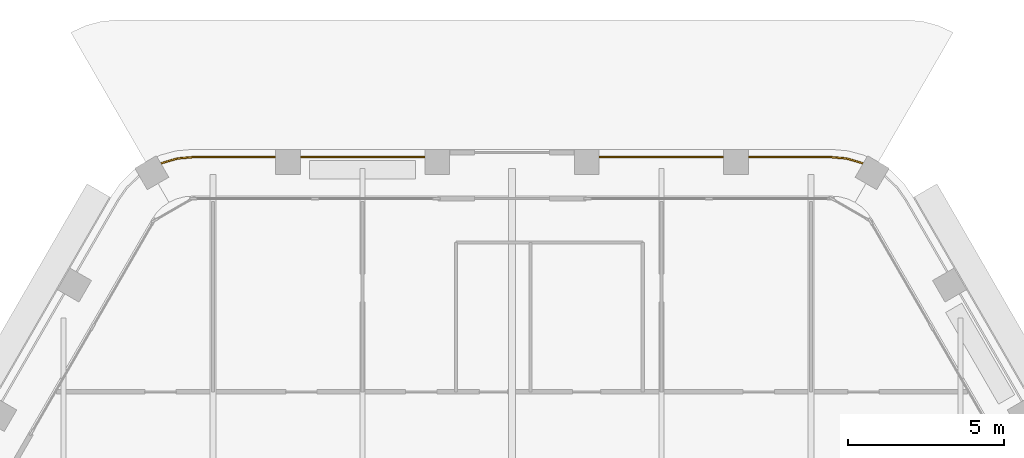
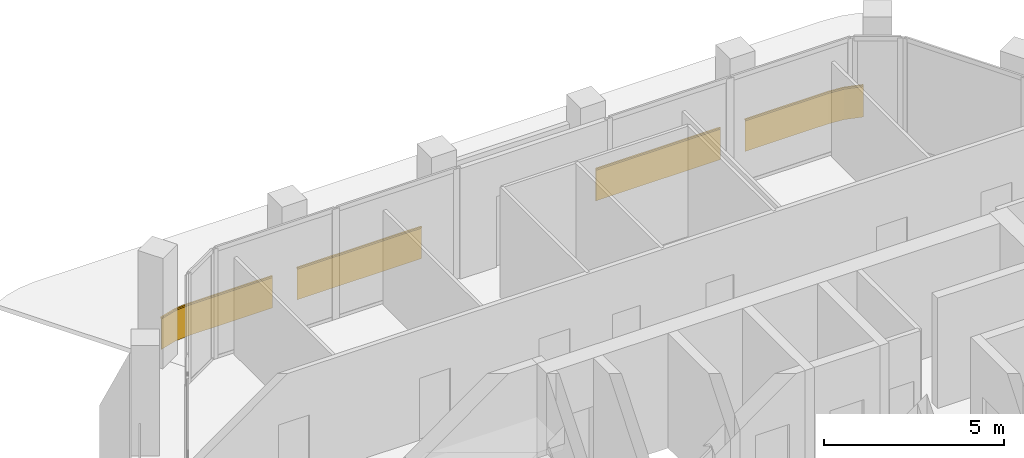
# One storey, part 14 of 14: 1 railing.
"""IFC4 building model written with IfcOpenShell, lengths in metres."""

from ifc_helpers import new_model, si_unit, direction, frame, frame_2d, origin, origin_2d, place, context, subcontext, project, spatial, rectangle, extrude, material, type_object, element, save


model = new_model("IFC4")

# Units and contexts
model_context = context("Model", 3, precision=1e-05, world=origin(), true_north=direction((0.0, 1.0)))
body_context = subcontext(model_context, "Body", "Model", "MODEL_VIEW")
ifc_project = project(units=[si_unit("LENGTHUNIT", "METRE"), si_unit("AREAUNIT", "SQUARE_METRE"), si_unit("VOLUMEUNIT", "CUBIC_METRE"), si_unit("PLANEANGLEUNIT", "RADIAN"), si_unit("MASSUNIT", "GRAM", prefix="KILO")], contexts=[model_context])

# Site, building, storey
site_placement = place(None, origin())
site = spatial("IfcSite", under=ifc_project, at=site_placement, CompositionType="ELEMENT")
building_placement = place(site_placement, origin())
building = spatial("IfcBuilding", under=site, at=building_placement, Name="Kolab Exchange Tower", CompositionType="ELEMENT")
storey_placement = place(building_placement, frame((0.0, 0.0, 222.800048828125)))
storey = spatial("IfcBuildingStorey", under=building, at=storey_placement, Name="L48", CompositionType="ELEMENT", Elevation=222.800048828125)

# Railing
ifc_material = material(Name="Steel S235", Category="steel")
railing_type = type_object("IfcRailingType", Name="GUARD 1100 GLASS BALUSTRADE AND STEEL TOP RAIL", PredefinedType="GUARDRAIL", material=ifc_material)
railing_placement = place(storey_placement, frame((11.280517578125, 20.335205078125, 0.0)))
element("IfcRailing", 1, at=railing_placement, inside=storey, type_object=railing_type, Name="Guard", PredefinedType="GUARDRAIL", context=body_context, shape_type="SweptSolid", body=[
    extrude(rectangle(XDim=0.05, YDim=0.05, at=origin_2d()), frame((0.0, 0.0, 1.0751953125), z_axis=(-0.959212061764, 0.282687496304, 0.0), x_axis=(-0.282687496304, -0.959212061764, 0.0)), (0.0, 0.0, 1.0), 0.557861328125),
    extrude(rectangle(XDim=0.012, YDim=1.05009765625, at=frame_2d((0.0, 0.525146484375))), frame((0.0, 0.0, 0.0), z_axis=(-0.959212061764, 0.282687496304, 0.0), x_axis=(-0.282687496304, -0.959212061764, 0.0)), (0.0, 0.0, 1.0), 0.557861328125),
    extrude(rectangle(XDim=0.05, YDim=0.05, at=origin_2d()), frame((-0.53515625, 0.15771484375, 1.0751953125), z_axis=(-0.996196482496, 0.087135344505, 0.0), x_axis=(-0.087135344505, -0.996196482496, 0.0)), (0.0, 0.0, 1.0), 0.47900390625),
    extrude(rectangle(XDim=0.012, YDim=1.05009765625, at=frame_2d((0.0, 0.525146484375))), frame((-0.53515625, 0.15771484375, 0.0), z_axis=(-0.996196482496, 0.087135344505, 0.0), x_axis=(-0.087135344505, -0.996196482496, 0.0)), (0.0, 0.0, 1.0), 0.47900390625),
    extrude(rectangle(XDim=0.05, YDim=0.05, at=origin_2d()), frame((-1.012451171875, 0.199462890625, 1.0751953125), z_axis=(-1.0, 0.0, 0.0), x_axis=(0.0, -1.0, 0.0)), (0.0, 0.0, 1.0), 2.66796875),
    extrude(rectangle(XDim=0.012, YDim=1.05009765625, at=frame_2d((0.0, 0.525146484375))), frame((-1.012451171875, 0.199462890625, 0.0), z_axis=(-1.0, 0.0, 0.0), x_axis=(0.0, -1.0, 0.0)), (0.0, 0.0, 1.0), 2.66796875),
    extrude(rectangle(XDim=0.05, YDim=0.05, at=origin_2d()), frame((-4.48046875, 0.199462890625, 1.0751953125), z_axis=(-1.0, 0.0, 0.0), x_axis=(0.0, -1.0, 0.0)), (0.0, 0.0, 1.0), 4.0),
    extrude(rectangle(XDim=0.012, YDim=1.05009765625, at=frame_2d((0.0, 0.525146484375))), frame((-4.48046875, 0.199462890625, 0.0), z_axis=(-1.0, 0.0, 0.0), x_axis=(0.0, -1.0, 0.0)), (0.0, 0.0, 1.0), 4.0),
    extrude(rectangle(XDim=0.05, YDim=0.05, at=origin_2d()), frame((-14.08056640625, 0.199462890625, 1.0751953125), z_axis=(-1.0, 0.0, 0.0), x_axis=(0.0, -1.0, 0.0)), (0.0, 0.0, 1.0), 4.0),
    extrude(rectangle(XDim=0.012, YDim=1.05009765625, at=frame_2d((0.0, 0.525146484375))), frame((-14.08056640625, 0.199462890625, 0.0), z_axis=(-1.0, 0.0, 0.0), x_axis=(0.0, -1.0, 0.0)), (0.0, 0.0, 1.0), 4.0),
    extrude(rectangle(XDim=0.05, YDim=0.05, at=origin_2d()), frame((-18.880615234375, 0.199462890625, 1.0751953125), z_axis=(-1.0, 0.0, 0.0), x_axis=(0.0, -1.0, 0.0)), (0.0, 0.0, 1.0), 2.66796875),
    extrude(rectangle(XDim=0.012, YDim=1.05009765625, at=frame_2d((0.0, 0.525146484375))), frame((-18.880615234375, 0.199462890625, 0.0), z_axis=(-1.0, 0.0, 0.0), x_axis=(0.0, -1.0, 0.0)), (0.0, 0.0, 1.0), 2.66796875),
    extrude(rectangle(XDim=0.05, YDim=0.05, at=origin_2d()), frame((-21.548583984375, 0.199462890625, 1.0751953125), z_axis=(-0.996196482496, -0.087135344505, 0.0), x_axis=(0.087135344505, -0.996196482496, 0.0)), (0.0, 0.0, 1.0), 0.47900390625),
    extrude(rectangle(XDim=0.012, YDim=1.05009765625, at=frame_2d((0.0, 0.525146484375))), frame((-21.548583984375, 0.199462890625, 0.0), z_axis=(-0.996196482496, -0.087135344505, 0.0), x_axis=(0.087135344505, -0.996196482496, 0.0)), (0.0, 0.0, 1.0), 0.47900390625),
    extrude(rectangle(XDim=0.05, YDim=0.05, at=origin_2d()), frame((-22.02587890625, 0.15771484375, 1.0751953125), z_axis=(-0.959212061764, -0.282687496304, 0.0), x_axis=(0.282687496304, -0.959212061764, 0.0)), (0.0, 0.0, 1.0), 0.557861328125),
    extrude(rectangle(XDim=0.012, YDim=1.05009765625, at=frame_2d((0.0, 0.525146484375))), frame((-22.02587890625, 0.15771484375, 0.0), z_axis=(-0.959212061764, -0.282687496304, 0.0), x_axis=(0.282687496304, -0.959212061764, 0.0)), (0.0, 0.0, 1.0), 0.557861328125),
])

save(model, "model.ifc")
